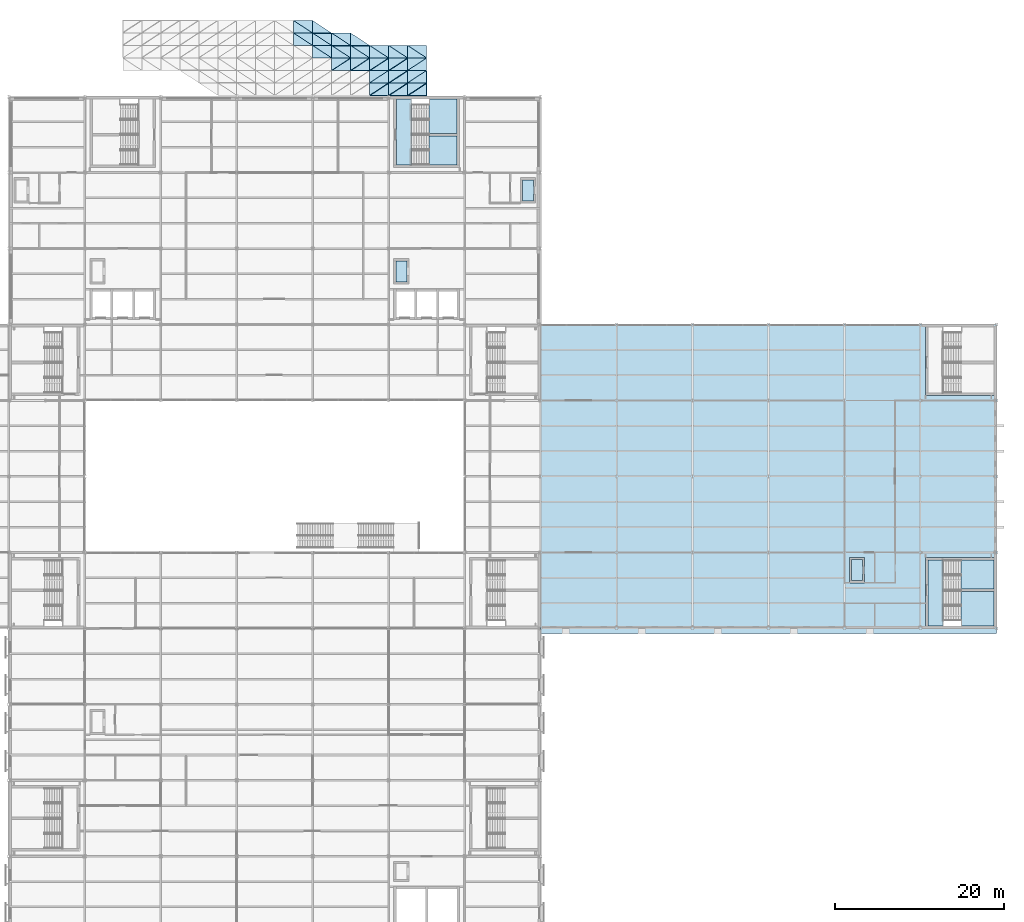
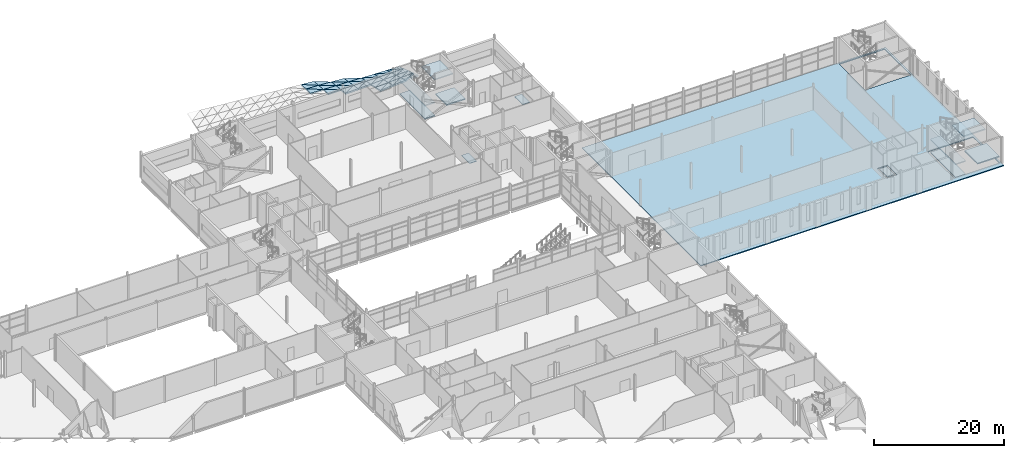
# One storey, part 73 of 112: 56 slabs, 2 elements without a shape of their own.
"""IFC4 building model written with IfcOpenShell, lengths in metres."""

from ifc_helpers import new_model, si_unit, direction, frame, origin, place, context, subcontext, project, spatial, polyline, outline, extrude, material, layer, layer_set, type_object, element, aggregate, save


model = new_model("IFC4")

# Units and contexts
model_context = context("Model", 3, precision=1e-05, world=origin(), true_north=direction((0.0, 1.0)))
body_context = subcontext(model_context, "Body", "Model", "MODEL_VIEW")
ifc_project = project(units=[si_unit("LENGTHUNIT", "METRE"), si_unit("AREAUNIT", "SQUARE_METRE"), si_unit("VOLUMEUNIT", "CUBIC_METRE"), si_unit("PLANEANGLEUNIT", "RADIAN"), si_unit("MASSUNIT", "GRAM", prefix="KILO")], contexts=[model_context])

# Site, building, storey
site_placement = place(None, origin())
site = spatial("IfcSite", under=ifc_project, at=site_placement, CompositionType="ELEMENT")
building_placement = place(site_placement, origin())
building = spatial("IfcBuilding", under=site, at=building_placement, Name="Shorebreak Coast Museum", CompositionType="ELEMENT")
storey_placement = place(building_placement, frame((0.0, 0.0, 6.0)))
storey = spatial("IfcBuildingStorey", under=building, at=storey_placement, Name="L01", CompositionType="ELEMENT", Elevation=6.0)

# Slabs
ifc_material_1 = material(Name="Concrete N50 (50 MPa)", Category="concrete")
ifc_layer_1 = layer(ifc_material_1, 0.25)
ifc_layer_set_1 = layer_set([ifc_layer_1], Name="Concrete N50 (50 MPa)")
slab_type_1 = type_object("IfcSlabType", Name="Canopy facet slab 250", PredefinedType="ROOF", material=ifc_layer_set_1)
slab_1_placement = place(storey_placement, frame((96.75, 117.16357421875, 1.4033203125), z_axis=(-0.077662453114, 0.241803097262, 0.967212389049), x_axis=(0.996791849979, 0.0, 0.080037540037)))
element("IfcSlab", 1, at=slab_1_placement, inside=storey, type_object=slab_type_1, Name="Canopy facet CAN-N 1.14a", PredefinedType="ROOF", context=body_context, shape_type="SweptSolid", body=[
    extrude(outline(polyline([(0.0, 0.0), (2.257241569588644, 6.938893903907228e-18), (2.2277746236959737, 1.5176932847846183), (0.0, 0.0)])), origin(), (0.0, 0.0, -1.0), 0.25),
])
slab_2_placement = place(storey_placement, frame((96.75, 117.16357421875, 1.4033203125), z_axis=(-0.051770001591, 0.203577196324, 0.977689210369), x_axis=(0.834687066075, 0.546314277622, -0.069557255506)))
element("IfcSlab", 2, at=slab_2_placement, inside=storey, type_object=slab_type_1, Name="Canopy facet CAN-N 1.14b", PredefinedType="ROOF", context=body_context, shape_type="SweptSolid", body=[
    extrude(outline(polyline([(0.0, 0.0), (2.69562101948031, -5.551115123125783e-17), (0.8258622157059584, 1.2572575329795002), (0.0, 0.0)])), origin(), (0.0, 0.0, -1.0), 0.25),
])
slab_3_placement = place(storey_placement, frame((99.0, 117.16357421875, 1.583984375), z_axis=(-0.076956311201, 0.27926713862, 0.957124647814), x_axis=(0.996783215266, 0.0, 0.080145004613)))
element("IfcSlab", 3, at=slab_3_placement, inside=storey, type_object=slab_type_1, Name="Canopy facet CAN-N 1.15a", PredefinedType="ROOF", context=body_context, shape_type="SweptSolid", body=[
    extrude(outline(polyline([(0.0, 0.0), (2.257261123121983, 6.938893903907228e-18), (2.2228238164524026, 1.5336759273815501), (0.0, 0.0)])), origin(), (0.0, 0.0, -1.0), 0.25),
])
slab_4_placement = place(storey_placement, frame((99.0, 117.16357421875, 1.583984375), z_axis=(-0.051407596585, 0.242214933602, 0.968859734406), x_axis=(0.833155774117, 0.545312025767, -0.092120847854)))
element("IfcSlab", 4, at=slab_4_placement, inside=storey, type_object=slab_type_1, Name="Canopy facet CAN-N 1.15b", PredefinedType="ROOF", context=body_context, shape_type="SweptSolid", body=[
    extrude(outline(polyline([(0.0, 0.0), (2.7005754144659027, 1.457167719820518e-16), (0.8369727485334755, 1.2663877075338683), (0.0, 0.0)])), origin(), (0.0, 0.0, -1.0), 0.25),
])
slab_5_placement = place(storey_placement, frame((101.25, 117.16357421875, 1.764892578125), z_axis=(-0.075953357636, 0.315361346587, 0.945927221589), x_axis=(0.996791849979, 0.0, 0.080037540037)))
element("IfcSlab", 5, at=slab_5_placement, inside=storey, type_object=slab_type_1, Name="Canopy facet CAN-N 1.16a", PredefinedType="ROOF", context=body_context, shape_type="SweptSolid", body=[
    extrude(outline(polyline([(0.0, 0.0), (2.257241569588644, 0.0), (2.2179457949267345, 1.5518442796851366), (0.0, 0.0)])), origin(), (0.0, 0.0, -1.0), 0.25),
])
slab_6_placement = place(storey_placement, frame((101.25, 117.16357421875, 1.764892578125), z_axis=(-0.050870038751, 0.279735130341, 0.958728583078), x_axis=(0.831197980866, 0.544030622893, -0.114632447231)))
element("IfcSlab", 6, at=slab_6_placement, inside=storey, type_object=slab_type_1, Name="Canopy facet CAN-N 1.16b", PredefinedType="ROOF", context=body_context, shape_type="SweptSolid", body=[
    extrude(outline(polyline([(0.0, 0.0), (2.706936315768191, 9.71445146547012e-17), (0.8504262266648602, 1.2767627075227723), (0.0, 0.0)])), origin(), (0.0, 0.0, -1.0), 0.25),
])
slab_7_placement = place(storey_placement, frame((96.75, 118.63623046875, 1.0966796875), z_axis=(-0.051303244418, 0.242178447651, 0.968874386392), x_axis=(0.998601016426, 0.0, 0.052877310766)))
element("IfcSlab", 7, at=slab_7_placement, inside=storey, type_object=slab_type_1, Name="Canopy facet CAN-N 2.14a", PredefinedType="ROOF", context=body_context, shape_type="SweptSolid", body=[
    extrude(outline(polyline([(0.0, 0.0), (2.253152122810484, -3.469446951953614e-18), (2.2336845972649493, 1.518091352017037), (0.0, 0.0)])), origin(), (0.0, 0.0, -1.0), 0.25),
])
slab_8_placement = place(storey_placement, frame((96.75, 118.63623046875, 1.0966796875), z_axis=(-0.025167524689, 0.203909084961, 0.978666276507), x_axis=(0.833107760054, 0.545370997874, -0.092205936985)))
element("IfcSlab", 8, at=slab_8_placement, inside=storey, type_object=slab_type_1, Name="Canopy facet CAN-N 2.14b", PredefinedType="ROOF", context=body_context, shape_type="SweptSolid", body=[
    extrude(outline(polyline([(0.0, 0.0), (2.700731055312171, -3.95516952522712e-16), (0.8315737531651421, 1.2538336863886006), (0.0, 0.0)])), origin(), (0.0, 0.0, -1.0), 0.25),
])
slab_9_placement = place(storey_placement, frame((99.0, 118.63623046875, 1.2158203125), z_axis=(-0.050872959115, 0.279545896115, 0.958783622094), x_axis=(0.998595289099, 0.0, 0.052985362019)))
element("IfcSlab", 9, at=slab_9_placement, inside=storey, type_object=slab_type_1, Name="Canopy facet CAN-N 2.15a", PredefinedType="ROOF", context=body_context, shape_type="SweptSolid", body=[
    extrude(outline(polyline([(0.0, 0.0), (2.253165045500071, 6.938893903907228e-18), (2.2304108336368125, 1.53405977897116), (0.0, 0.0)])), origin(), (0.0, 0.0, -1.0), 0.25),
])
slab_10_placement = place(storey_placement, frame((99.0, 118.63623046875, 1.2158203125), z_axis=(-0.025045978093, 0.242421716294, 0.969847622284), x_axis=(0.831165785552, 0.544099737873, -0.114537819841)))
element("IfcSlab", 10, at=slab_10_placement, inside=storey, type_object=slab_type_1, Name="Canopy facet CAN-N 2.15b", PredefinedType="ROOF", context=body_context, shape_type="SweptSolid", body=[
    extrude(outline(polyline([(0.0, 0.0), (2.70704116929564, 2.498001805406602e-16), (0.8435734255144314, 1.2622853137803791), (0.0, 0.0)])), origin(), (0.0, 0.0, -1.0), 0.25),
])
slab_11_placement = place(storey_placement, frame((101.25, 118.63623046875, 1.335205078125), z_axis=(-0.050273385481, 0.315827894068, 0.947483682203), x_axis=(0.998595289099, 0.0, 0.052985362019)))
element("IfcSlab", 11, at=slab_11_placement, inside=storey, type_object=slab_type_1, Name="Canopy facet CAN-N 2.16a", PredefinedType="ROOF", context=body_context, shape_type="SweptSolid", body=[
    extrude(outline(polyline([(0.0, 0.0), (2.253165045500071, 6.938893903907228e-18), (2.227150992028205, 1.5523553798531244), (0.0, 0.0)])), origin(), (0.0, 0.0, -1.0), 0.25),
])
slab_12_placement = place(storey_placement, frame((101.25, 118.63623046875, 1.335205078125), z_axis=(-0.024680667007, 0.279823076264, 0.959734291701), x_axis=(0.82879765934, 0.542549509418, -0.136873919001)))
element("IfcSlab", 12, at=slab_12_placement, inside=storey, type_object=slab_type_1, Name="Canopy facet CAN-N 2.16b", PredefinedType="ROOF", context=body_context, shape_type="SweptSolid", body=[
    extrude(outline(polyline([(0.0, 0.0), (2.7147760067178934, 3.191891195797325e-16), (0.85790097994213, 1.2719524630381815), (0.0, 0.0)])), origin(), (0.0, 0.0, -1.0), 0.25),
])
slab_13_placement = place(storey_placement, frame((92.25, 120.109130859375, 0.673828125), z_axis=(-0.025358320075, 0.16429310149, 0.986085560388), x_axis=(0.999669503836, 0.0, 0.025707646746)))
element("IfcSlab", 13, at=slab_13_placement, inside=storey, type_object=slab_type_1, Name="Canopy facet CAN-N 3.12a", PredefinedType="ROOF", context=body_context, shape_type="SweptSolid", body=[
    extrude(outline(polyline([(0.0, 0.0), (2.2507438622136435, 0.0), (2.244436199865133, 1.4929430080880597), (0.0, 0.0)])), origin(), (0.0, 0.0, -1.0), 0.25),
])
slab_14_placement = place(storey_placement, frame((92.25, 120.109130859375, 0.673828125), z_axis=(0.001507364854, 0.124034593676, 0.992276749412), x_axis=(0.834687066075, 0.546314277622, -0.069557255506)))
element("IfcSlab", 14, at=slab_14_placement, inside=storey, type_object=slab_type_1, Name="Canopy facet CAN-N 3.12b", PredefinedType="ROOF", context=body_context, shape_type="SweptSolid", body=[
    extrude(outline(polyline([(0.0, 0.0), (2.69562101948031, 1.457167719820518e-16), (0.8173373762860033, 1.2387744904618843), (0.0, 0.0)])), origin(), (0.0, 0.0, -1.0), 0.25),
])
slab_15_placement = place(storey_placement, frame((94.5, 120.109130859375, 0.731689453125), z_axis=(-0.025273474863, 0.203940937433, 0.978656908987), x_axis=(0.999666710352, 0.0, 0.025816045688)))
element("IfcSlab", 15, at=slab_15_placement, inside=storey, type_object=slab_type_1, Name="Canopy facet CAN-N 3.13a", PredefinedType="ROOF", context=body_context, shape_type="SweptSolid", body=[
    extrude(outline(polyline([(0.0, 0.0), (2.2507501517268986, -1.734723475976807e-18), (2.242827600596471, 1.5042712266145224), (0.0, 0.0)])), origin(), (0.0, 0.0, -1.0), 0.25),
])
slab_16_placement = place(storey_placement, frame((94.5, 120.109130859375, 0.731689453125), z_axis=(0.001498440013, 0.164345766354, 0.986401654378), x_axis=(0.833155774117, 0.545312025767, -0.092120847854)))
element("IfcSlab", 16, at=slab_16_placement, inside=storey, type_object=slab_type_1, Name="Canopy facet CAN-N 3.13b", PredefinedType="ROOF", context=body_context, shape_type="SweptSolid", body=[
    extrude(outline(polyline([(0.0, 0.0), (2.7005754144659027, 1.249000902703301e-16), (0.8256600565240275, 1.2438665857173212), (0.0, 0.0)])), origin(), (0.0, 0.0, -1.0), 0.25),
])
slab_17_placement = place(storey_placement, frame((96.75, 120.109130859375, 0.789794921875), z_axis=(-0.02494056548, 0.242460180866, 0.969840723463), x_axis=(0.999669503836, 0.0, 0.025707646746)))
element("IfcSlab", 17, at=slab_17_placement, inside=storey, type_object=slab_type_1, Name="Canopy facet CAN-N 3.14a", PredefinedType="ROOF", context=body_context, shape_type="SweptSolid", body=[
    extrude(outline(polyline([(0.0, 0.0), (2.2507438622136435, 1.734723475976807e-18), (2.241279230550406, 1.5179498108725618), (0.0, 0.0)])), origin(), (0.0, 0.0, -1.0), 0.25),
])
slab_18_placement = place(storey_placement, frame((96.75, 120.109130859375, 0.789794921875), z_axis=(0.001487148381, 0.204005876549, 0.978968534082), x_axis=(0.831197980866, 0.544030622893, -0.114632447231)))
element("IfcSlab", 18, at=slab_18_placement, inside=storey, type_object=slab_type_1, Name="Canopy facet CAN-N 3.14b", PredefinedType="ROOF", context=body_context, shape_type="SweptSolid", body=[
    extrude(outline(polyline([(0.0, 0.0), (2.706936315768191, -5.551115123125783e-17), (0.8363490486967944, 1.250365929950405), (0.0, 0.0)])), origin(), (0.0, 0.0, -1.0), 0.25),
])
slab_19_placement = place(storey_placement, frame((99.0, 120.109130859375, 0.84765625), z_axis=(-0.024783315422, 0.280011745113, 0.959676617343), x_axis=(0.999666710352, 0.0, 0.025816045688)))
element("IfcSlab", 19, at=slab_19_placement, inside=storey, type_object=slab_type_1, Name="Canopy facet CAN-N 3.15a", PredefinedType="ROOF", context=body_context, shape_type="SweptSolid", body=[
    extrude(outline(polyline([(0.0, 0.0), (2.2507501517268986, 0.0), (2.239657319595194, 1.5340224012039754), (0.0, 0.0)])), origin(), (0.0, 0.0, -1.0), 0.25),
])
slab_20_placement = place(storey_placement, frame((99.0, 120.109130859375, 0.84765625), z_axis=(0.001473739177, 0.242535361654, 0.970141446615), x_axis=(0.828838097346, 0.542486046353, -0.13688059724)))
element("IfcSlab", 20, at=slab_20_placement, inside=storey, type_object=slab_type_1, Name="Canopy facet CAN-N 3.15b", PredefinedType="ROOF", context=body_context, shape_type="SweptSolid", body=[
    extrude(outline(polyline([(0.0, 0.0), (2.714643556088338, 1.1102230246251565e-16), (0.8492899834566862, 1.2581604554192236), (0.0, 0.0)])), origin(), (0.0, 0.0, -1.0), 0.25),
])
slab_21_placement = place(storey_placement, frame((101.25, 120.109130859375, 0.90576171875), z_axis=(-0.024388816921, 0.316180870932, 0.948385387101), x_axis=(0.999669503836, 0.0, 0.025707646746)))
element("IfcSlab", 21, at=slab_21_placement, inside=storey, type_object=slab_type_1, Name="Canopy facet CAN-N 3.16a", PredefinedType="ROOF", context=body_context, shape_type="SweptSolid", body=[
    extrude(outline(polyline([(0.0, 0.0), (2.2507438622136435, 0.0), (2.2381222612356786, 1.5522904114522236), (0.0, 0.0)])), origin(), (0.0, 0.0, -1.0), 0.25),
])
slab_22_placement = place(storey_placement, frame((101.25, 120.109130859375, 0.90576171875), z_axis=(0.001458288452, 0.280097480307, 0.959970455233), x_axis=(0.826067965523, 0.540672956601, -0.159010912634)))
element("IfcSlab", 22, at=slab_22_placement, inside=storey, type_object=slab_type_1, Name="Canopy facet CAN-N 3.16b", PredefinedType="ROOF", context=body_context, shape_type="SweptSolid", body=[
    extrude(outline(polyline([(0.0, 0.0), (2.723746827024351, -9.71445146547012e-17), (0.8645504102670866, 1.2672412423951978), (0.0, 0.0)])), origin(), (0.0, 0.0, -1.0), 0.25),
])
slab_23_placement = place(storey_placement, frame((90.0, 121.581787109375, 0.4931640625), z_axis=(0.001513861996, 0.08293600301, 0.996553725409), x_axis=(0.999998846174, 0.0, -0.001519095469)))
element("IfcSlab", 23, at=slab_23_placement, inside=storey, type_object=slab_type_1, Name="Canopy facet CAN-N 4.11a", PredefinedType="ROOF", context=body_context, shape_type="SweptSolid", body=[
    extrude(outline(polyline([(0.0, 0.0), (2.2500025961119197, 0.0), (0.00018617820450755093, 1.477747273691857), (0.0, 0.0)])), origin(), (0.0, 0.0, -1.0), 0.25),
])
slab_24_placement = place(storey_placement, frame((92.25, 121.581787109375, 0.48974609375), z_axis=(0.028628226048, 0.123983896267, 0.991871170132), x_axis=(0.0, 0.992277876714, -0.124034734589)))
element("IfcSlab", 24, at=slab_24_placement, inside=storey, type_object=slab_type_1, Name="Canopy facet CAN-N 4.11b", PredefinedType="ROOF", context=body_context, shape_type="SweptSolid", body=[
    extrude(outline(polyline([(0.0, 0.0), (1.4841167827678483, 0.0), (1.4760617926797797, 2.2509225893798326), (0.0, 0.0)])), origin(), (0.0, 0.0, -1.0), 0.25),
])
slab_25_placement = place(storey_placement, frame((92.25, 121.581787109375, 0.48974609375), z_axis=(0.001507364854, 0.124034593676, 0.992276749412), x_axis=(0.999998846174, 0.0, -0.001519095469)))
element("IfcSlab", 25, at=slab_25_placement, inside=storey, type_object=slab_type_1, Name="Canopy facet CAN-N 4.12a", PredefinedType="ROOF", context=body_context, shape_type="SweptSolid", body=[
    extrude(outline(polyline([(0.0, 0.0), (2.2500025961119197, -5.421010862427522e-20), (0.0002796381796786721, 1.4841167564230506), (0.0, 0.0)])), origin(), (0.0, 0.0, -1.0), 0.25),
])
slab_26_placement = place(storey_placement, frame((94.5, 121.581787109375, 0.486328125), z_axis=(0.028351958661, 0.164279884185, 0.98600623025), x_axis=(0.0, 0.986402761774, -0.164345950859)))
element("IfcSlab", 26, at=slab_26_placement, inside=storey, type_object=slab_type_1, Name="Canopy facet CAN-N 4.12b", PredefinedType="ROOF", context=body_context, shape_type="SweptSolid", body=[
    extrude(outline(polyline([(0.0, 0.0), (1.4929563329191267, -8.673617379884035e-19), (1.4823235992819896, 2.250904858308044), (0.0, 0.0)])), origin(), (0.0, 0.0, -1.0), 0.25),
])
slab_27_placement = place(storey_placement, frame((94.5, 121.581787109375, 0.486328125), z_axis=(0.001498440013, 0.164345766354, 0.986401654378), x_axis=(0.999998846174, 0.0, -0.001519095469)))
element("IfcSlab", 27, at=slab_27_placement, inside=storey, type_object=slab_type_1, Name="Canopy facet CAN-N 4.13a", PredefinedType="ROOF", context=body_context, shape_type="SweptSolid", body=[
    extrude(outline(polyline([(0.0, 0.0), (2.2500025961119197, -1.0842021724855044e-19), (0.00037272728193244755, 1.4929562863921033), (0.0, 0.0)])), origin(), (0.0, 0.0, -1.0), 0.25),
])
slab_28_placement = place(storey_placement, frame((96.75, 121.581787109375, 0.48291015625), z_axis=(0.028244577592, 0.203924712342, 0.9785790492), x_axis=(0.0, 0.978969616633, -0.20400610214)))
element("IfcSlab", 28, at=slab_28_placement, inside=storey, type_object=slab_type_1, Name="Canopy facet CAN-N 4.13b", PredefinedType="ROOF", context=body_context, shape_type="SweptSolid", body=[
    extrude(outline(polyline([(0.0, 0.0), (1.504292089335304, 0.0), (1.4910436461787655, 2.250898013016062), (0.0, 0.0)])), origin(), (0.0, 0.0, -1.0), 0.25),
])
slab_29_placement = place(storey_placement, frame((96.75, 121.581787109375, 0.48291015625), z_axis=(0.001487148381, 0.204005876549, 0.978968534082), x_axis=(0.999998846174, 0.0, -0.001519095469)))
element("IfcSlab", 29, at=slab_29_placement, inside=storey, type_object=slab_type_1, Name="Canopy facet CAN-N 4.14a", PredefinedType="ROOF", context=body_context, shape_type="SweptSolid", body=[
    extrude(outline(polyline([(0.0, 0.0), (2.2500025961119197, -1.0842021724855044e-19), (0.0004661872571035687, 1.5042920170984808), (0.0, 0.0)])), origin(), (0.0, 0.0, -1.0), 0.25),
])
slab_30_placement = place(storey_placement, frame((99.0, 121.581787109375, 0.4794921875), z_axis=(0.027884959973, 0.242441312366, 0.969765249463), x_axis=(0.0, 0.970142500145, -0.242535625036)))
element("IfcSlab", 30, at=slab_30_placement, inside=storey, type_object=slab_type_1, Name="Canopy facet CAN-N 4.14b", PredefinedType="ROOF", context=body_context, shape_type="SweptSolid", body=[
    extrude(outline(polyline([(0.0, 0.0), (1.517979317244002, 0.0), (1.5022879254875008, 2.2508752778428427), (0.0, 0.0)])), origin(), (0.0, 0.0, -1.0), 0.25),
])
slab_31_placement = place(storey_placement, frame((99.0, 121.581787109375, 0.4794921875), z_axis=(0.001473739177, 0.242535361654, 0.970141446615), x_axis=(0.999998846174, 0.0, -0.001519095469)))
element("IfcSlab", 31, at=slab_31_placement, inside=storey, type_object=slab_type_1, Name="Canopy facet CAN-N 4.15a", PredefinedType="ROOF", context=body_context, shape_type="SweptSolid", body=[
    extrude(outline(polyline([(0.0, 0.0), (2.2500025961119197, -1.0842021724855044e-19), (0.0005592763593573443, 1.5179792142155704), (0.0, 0.0)])), origin(), (0.0, 0.0, -1.0), 0.25),
])
slab_32_placement = place(storey_placement, frame((101.25, 121.581787109375, 0.47607421875), z_axis=(0.027594065161, 0.279844505441, 0.959648696317), x_axis=(0.0, 0.960014258914, -0.279951107664)))
element("IfcSlab", 32, at=slab_32_placement, inside=storey, type_object=slab_type_1, Name="Canopy facet CAN-N 4.15b", PredefinedType="ROOF", context=body_context, shape_type="SweptSolid", body=[
    extrude(outline(polyline([(0.0, 0.0), (1.5339941426144195, 0.0), (1.5158820714398684, 2.2508571009855602), (0.0, 0.0)])), origin(), (0.0, 0.0, -1.0), 0.25),
])
slab_33_placement = place(storey_placement, frame((101.25, 121.581787109375, 0.47607421875), z_axis=(0.001458353443, 0.279950809965, 0.960013238037), x_axis=(0.999998846174, 0.0, -0.001519095469)))
element("IfcSlab", 33, at=slab_33_placement, inside=storey, type_object=slab_type_1, Name="Canopy facet CAN-N 4.16a", PredefinedType="ROOF", context=body_context, shape_type="SweptSolid", body=[
    extrude(outline(polyline([(0.0, 0.0), (2.2500025961119197, -1.0842021724855044e-19), (0.0006523654616111197, 1.533994003897881), (0.0, 0.0)])), origin(), (0.0, 0.0, -1.0), 0.25),
])
slab_34_placement = place(storey_placement, frame((103.5, 121.581787109375, 0.47265625), z_axis=(0.027370988587, 0.316156453159, 0.948312145925), x_axis=(0.0, 0.94866756963, -0.316274947368)))
element("IfcSlab", 34, at=slab_34_placement, inside=storey, type_object=slab_type_1, Name="Canopy facet CAN-N 4.16b", PredefinedType="ROOF", context=body_context, shape_type="SweptSolid", body=[
    extrude(outline(polyline([(0.0, 0.0), (1.552341723428756, 0.0), (1.5318023835850156, 2.2508432912498617), (0.0, 0.0)])), origin(), (0.0, 0.0, -1.0), 0.25),
])
slab_35_placement = place(storey_placement, frame((87.75, 123.054443359375, 0.435302734375), z_axis=(0.028717439576, 0.041716659398, 0.998716691056), x_axis=(0.999586850138, 0.0, -0.028742460426)))
element("IfcSlab", 35, at=slab_35_placement, inside=storey, type_object=slab_type_1, Name="Canopy facet CAN-N 5.10a", PredefinedType="ROOF", context=body_context, shape_type="SweptSolid", body=[
    extrude(outline(polyline([(0.0, 0.0), (2.25092997140723, 0.0), (0.0017683349676187983, 1.474183695153537), (0.0, 0.0)])), origin(), (0.0, 0.0, -1.0), 0.25),
])
slab_36_placement = place(storey_placement, frame((90.0, 123.054443359375, 0.37060546875), z_axis=(0.055709340817, 0.082957459534, 0.994994738304), x_axis=(0.0, 0.996542339845, -0.083086490459)))
element("IfcSlab", 36, at=slab_36_placement, inside=storey, type_object=slab_type_1, Name="Canopy facet CAN-N 5.10b", PredefinedType="ROOF", context=body_context, shape_type="SweptSolid", body=[
    extrude(outline(polyline([(0.0, 0.0), (1.4780108498496398, 8.673617379884035e-19), (1.467543899391369, 2.253499619979427), (0.0, 0.0)])), origin(), (0.0, 0.0, -1.0), 0.25),
])
slab_37_placement = place(storey_placement, frame((90.0, 123.054443359375, 0.37060546875), z_axis=(0.02875115866, 0.083052142503, 0.996130369229), x_axis=(0.999583728093, 0.0, -0.02885083243)))
element("IfcSlab", 37, at=slab_37_placement, inside=storey, type_object=slab_type_1, Name="Canopy facet CAN-N 5.11a", PredefinedType="ROOF", context=body_context, shape_type="SweptSolid", body=[
    extrude(outline(polyline([(0.0, 0.0), (2.250937001838507, 8.673617379884035e-19), (0.003542961111370045, 1.4780066034019665), (0.0, 0.0)])), origin(), (0.0, 0.0, -1.0), 0.25),
])
slab_38_placement = place(storey_placement, frame((92.25, 123.054443359375, 0.3056640625), z_axis=(0.055578994017, 0.123822801377, 0.990746632234), x_axis=(0.0, 0.992280406899, -0.124014491431)))
element("IfcSlab", 38, at=slab_38_placement, inside=storey, type_object=slab_type_1, Name="Canopy facet CAN-N 5.11b", PredefinedType="ROOF", context=body_context, shape_type="SweptSolid", body=[
    extrude(outline(polyline([(0.0, 0.0), (1.4843590384177283, 0.0), (1.4687058421116508, 2.2534832245532184), (0.0, 0.0)])), origin(), (0.0, 0.0, -1.0), 0.25),
])
slab_39_placement = place(storey_placement, frame((92.25, 123.054443359375, 0.3056640625), z_axis=(0.028520761513, 0.123964042378, 0.991876747565), x_axis=(0.999586850138, 0.0, -0.028742460426)))
element("IfcSlab", 39, at=slab_39_placement, inside=storey, type_object=slab_type_1, Name="Canopy facet CAN-N 5.12a", PredefinedType="ROOF", context=body_context, shape_type="SweptSolid", body=[
    extrude(outline(polyline([(0.0, 0.0), (2.25092997140723, 0.0), (0.005290970498351484, 1.4843496086042498), (0.0, 0.0)])), origin(), (0.0, 0.0, -1.0), 0.25),
])
slab_40_placement = place(storey_placement, frame((94.5, 123.054443359375, 0.240966796875), z_axis=(0.055144490309, 0.164069414346, 0.98490624552), x_axis=(0.0, 0.986407177539, -0.164319445289)))
element("IfcSlab", 40, at=slab_40_placement, inside=storey, type_object=slab_type_1, Name="Canopy facet CAN-N 5.12b", PredefinedType="ROOF", context=body_context, shape_type="SweptSolid", body=[
    extrude(outline(polyline([(0.0, 0.0), (1.4931971544449654, 0.0), (1.4724967555755935, 2.25342885128108), (0.0, 0.0)])), origin(), (0.0, 0.0, -1.0), 0.25),
])
slab_41_placement = place(storey_placement, frame((94.5, 123.054443359375, 0.240966796875), z_axis=(0.028458987993, 0.1642528895, 0.986007644135), x_axis=(0.999583728093, 0.0, -0.02885083243)))
element("IfcSlab", 41, at=slab_41_placement, inside=storey, type_object=slab_type_1, Name="Canopy facet CAN-N 5.13a", PredefinedType="ROOF", context=body_context, shape_type="SweptSolid", body=[
    extrude(outline(polyline([(0.0, 0.0), (2.250937001838507, 1.734723475976807e-18), (0.007078878562478917, 1.4931803747440693), (0.0, 0.0)])), origin(), (0.0, 0.0, -1.0), 0.25),
])
slab_42_placement = place(storey_placement, frame((87.75, 124.52734375, 0.373779296875), z_axis=(0.055853846295, 0.041510526196, 0.997575673355), x_axis=(0.998436258871, 0.0, -0.055902030119)))
element("IfcSlab", 42, at=slab_42_placement, inside=storey, type_object=slab_type_1, Name="Canopy facet CAN-N 6.10a", PredefinedType="ROOF", context=body_context, shape_type="SweptSolid", body=[
    extrude(outline(polyline([(0.0, 0.0), (2.2535239280512016, -8.673617379884035e-19), (0.0034256370995826837, 1.473926676568417), (0.0, 0.0)])), origin(), (0.0, 0.0, -1.0), 0.25),
])
slab_43_placement = place(storey_placement, frame((90.0, 124.52734375, 0.247802734375), z_axis=(0.082760212841, 0.082815093618, 0.993122554089), x_axis=(0.0, 0.996541199252, -0.083100169633)))
element("IfcSlab", 43, at=slab_43_placement, inside=storey, type_object=slab_type_1, Name="Canopy facet CAN-N 6.10b", PredefinedType="ROOF", context=body_context, shape_type="SweptSolid", body=[
    extrude(outline(polyline([(0.0, 0.0), (1.477767553519172, 0.0), (1.4621862717130591, 2.2577452189424028), (0.0, 0.0)])), origin(), (0.0, 0.0, -1.0), 0.25),
])
slab_44_placement = place(storey_placement, frame((90.0, 124.52734375, 0.247802734375), z_axis=(0.055816904928, 0.082970618243, 0.994987612804), x_axis=(0.998430206264, 0.0, -0.056010027847)))
element("IfcSlab", 44, at=slab_44_placement, inside=storey, type_object=slab_type_1, Name="Canopy facet CAN-N 6.11a", PredefinedType="ROOF", context=body_context, shape_type="SweptSolid", body=[
    extrude(outline(polyline([(0.0, 0.0), (2.25353758919113, 0.0), (0.006878184572039318, 1.477751546374096), (0.0, 0.0)])), origin(), (0.0, 0.0, -1.0), 0.25),
])
ifc_material_2 = material(Name="Concrete N40 (40 MPa)", Category="concrete")
ifc_layer_2 = layer(ifc_material_2, 0.175048828125)
ifc_layer_set_2 = layer_set([ifc_layer_2], Name="Concrete N40 (40 MPa)")
slab_type_2 = type_object("IfcSlabType", Name="Floor slab 175 concrete N40", PredefinedType="FLOOR", material=ifc_layer_set_2)
slab_45_placement = place(storey_placement, frame((0.0, 0.0, -0.175048828125)))
element("IfcSlab", 45, at=slab_45_placement, inside=storey, type_object=slab_type_2, Name="Floor slab L01 east arm", PredefinedType="FLOOR", context=body_context, shape_type="SweptSolid", body=[
    extrude(outline(polyline([(171.0, 53.39990234375), (171.0, 54.0), (171.0, 90.0), (117.0, 90.0), (117.0, 54.0), (117.0, 53.39990234375), (171.0, 53.39990234375)]), holes=[polyline([(153.60009765625, 59.39990234375), (153.60009765625, 62.39990234375), (155.39990234375, 62.39990234375), (155.39990234375, 59.39990234375), (153.60009765625, 59.39990234375)]), polyline([(162.60009765625, 62.39990234375), (170.699951171875, 62.39990234375), (170.699951171875, 54.300048828125), (162.60009765625, 54.300048828125), (162.60009765625, 62.39990234375)]), polyline([(170.699951171875, 89.699951171875), (170.699951171875, 81.60009765625), (162.60009765625, 81.60009765625), (162.60009765625, 89.699951171875), (170.699951171875, 89.699951171875)])]), origin(), (0.0, 0.0, 1.0), 0.175048828125),
])
ifc_material_3 = material(Name="Concrete N40 (40 MPa)", Category="concrete")
ifc_layer_3 = layer(ifc_material_3, 0.10009765625)
ifc_layer_set_3 = layer_set([ifc_layer_3], Name="Concrete N40 (40 MPa)")
slab_type_3 = type_object("IfcSlabType", Name="Riser platform 100", PredefinedType="USERDEFINED", material=ifc_layer_set_3)
slab_46_placement = place(storey_placement, frame((0.0, 0.0, -0.10009765625)))
element("IfcSlab", 46, at=slab_46_placement, inside=storey, type_object=slab_type_3, Name="Riser platform R-WC-N2 L01", ObjectType="RISER PLATFORM", PredefinedType="USERDEFINED", context=body_context, shape_type="SweptSolid", body=[
    extrude(outline(polyline([(114.85009765625, 104.64990234375), (116.14990234375, 104.64990234375), (116.14990234375, 107.14990234375), (114.85009765625, 107.14990234375), (114.85009765625, 104.64990234375)])), origin(), (0.0, 0.0, 1.0), 0.10009765625),
])
slab_47_placement = place(storey_placement, frame((0.0, 0.0, -0.10009765625)))
element("IfcSlab", 47, at=slab_47_placement, inside=storey, type_object=slab_type_3, Name="Riser platform R-WC-E L01", ObjectType="RISER PLATFORM", PredefinedType="USERDEFINED", context=body_context, shape_type="SweptSolid", body=[
    extrude(outline(polyline([(153.85009765625, 59.64990234375), (155.14990234375, 59.64990234375), (155.14990234375, 62.14990234375), (153.85009765625, 62.14990234375), (153.85009765625, 59.64990234375)])), origin(), (0.0, 0.0, 1.0), 0.10009765625),
])
slab_48_placement = place(storey_placement, frame((0.0, 0.0, -0.10009765625)))
element("IfcSlab", 48, at=slab_48_placement, inside=storey, type_object=slab_type_3, Name="Riser platform R-LBE L01", ObjectType="RISER PLATFORM", PredefinedType="USERDEFINED", context=body_context, shape_type="SweptSolid", body=[
    extrude(outline(polyline([(99.85009765625, 95.050048828125), (101.14990234375, 95.050048828125), (101.14990234375, 97.550048828125), (99.85009765625, 97.550048828125), (99.85009765625, 95.050048828125)])), origin(), (0.0, 0.0, 1.0), 0.10009765625),
])

# Stair, slabs
ifc_material_4 = material(Name="Concrete N40 (40 MPa)", Category="concrete")
stair_type = type_object("IfcStairType", Name="Stair run 5 m", PredefinedType="DOUBLE_RETURN_STAIR", material=ifc_material_4)
stair_1_placement = place(storey_placement, origin())
stair_1 = element("IfcStair", 49, at=stair_1_placement, inside=storey, type_object=stair_type, Name="Exit stair ST07-L01", PredefinedType="DOUBLE_RETURN_STAIR")
ifc_material_5 = material(Name="Concrete N40 (40 MPa)", Category="concrete")
ifc_layer_4 = layer(ifc_material_5, 0.199951171875)
ifc_layer_set_4 = layer_set([ifc_layer_4], Name="Concrete N40 (40 MPa)")
slab_type_4 = type_object("IfcSlabType", Name="Stair landing 200", PredefinedType="LANDING", material=ifc_layer_set_4)
slab_49_placement = place(storey_placement, frame((0.0, 0.0, -0.199951171875)))
slab_49 = element("IfcSlab", 50, at=slab_49_placement, type_object=slab_type_4, Name="ST07-L01 landing 1", PredefinedType="LANDING", context=body_context, shape_type="SweptSolid", body=[
    extrude(outline(polyline([(162.89990234375, 54.300048828125), (164.699951171875, 54.300048828125), (164.699951171875, 62.10009765625), (162.89990234375, 62.10009765625), (162.89990234375, 54.300048828125)])), origin(), (0.0, 0.0, 1.0), 0.199951171875),
])
slab_50_placement = place(storey_placement, frame((0.0, 0.0, 2.300048828125)))
slab_50 = element("IfcSlab", 51, at=slab_50_placement, type_object=slab_type_4, Name="ST07-L01 landing 2", PredefinedType="LANDING", context=body_context, shape_type="SweptSolid", body=[
    extrude(outline(polyline([(162.89990234375, 54.300048828125), (164.699951171875, 54.300048828125), (164.699951171875, 62.10009765625), (162.89990234375, 62.10009765625), (162.89990234375, 54.300048828125)])), origin(), (0.0, 0.0, 1.0), 0.199951171875),
])
slab_51_placement = place(storey_placement, frame((0.0, 0.0, 1.050048828125)))
slab_51 = element("IfcSlab", 52, at=slab_51_placement, type_object=slab_type_4, Name="ST07-L01 landing 3", PredefinedType="LANDING", context=body_context, shape_type="SweptSolid", body=[
    extrude(outline(polyline([(166.800048828125, 54.300048828125), (170.699951171875, 54.300048828125), (170.699951171875, 58.35009765625), (166.800048828125, 58.35009765625), (166.800048828125, 54.300048828125)])), origin(), (0.0, 0.0, 1.0), 0.199951171875),
])
slab_52_placement = place(storey_placement, frame((0.0, 0.0, 3.550048828125)))
slab_52 = element("IfcSlab", 53, at=slab_52_placement, type_object=slab_type_4, Name="ST07-L01 landing 4", PredefinedType="LANDING", context=body_context, shape_type="SweptSolid", body=[
    extrude(outline(polyline([(166.800048828125, 58.64990234375), (170.699951171875, 58.64990234375), (170.699951171875, 62.10009765625), (166.800048828125, 62.10009765625), (166.800048828125, 58.64990234375)])), origin(), (0.0, 0.0, 1.0), 0.199951171875),
])
aggregate(stair_1, [slab_49, slab_50, slab_51, slab_52])

stair_2_placement = place(storey_placement, origin())
stair_2 = element("IfcStair", 54, at=stair_2_placement, inside=storey, type_object=stair_type, Name="Exit stair ST10-L01", PredefinedType="DOUBLE_RETURN_STAIR")
slab_53_placement = place(storey_placement, frame((0.0, 0.0, -0.199951171875)))
slab_53 = element("IfcSlab", 55, at=slab_53_placement, type_object=slab_type_4, Name="ST10-L01 landing 1", PredefinedType="LANDING", context=body_context, shape_type="SweptSolid", body=[
    extrude(outline(polyline([(99.89990234375, 108.89990234375), (101.699951171875, 108.89990234375), (101.699951171875, 116.699951171875), (99.89990234375, 116.699951171875), (99.89990234375, 108.89990234375)])), origin(), (0.0, 0.0, 1.0), 0.199951171875),
])
slab_54_placement = place(storey_placement, frame((0.0, 0.0, 2.300048828125)))
slab_54 = element("IfcSlab", 56, at=slab_54_placement, type_object=slab_type_4, Name="ST10-L01 landing 2", PredefinedType="LANDING", context=body_context, shape_type="SweptSolid", body=[
    extrude(outline(polyline([(99.89990234375, 108.89990234375), (101.699951171875, 108.89990234375), (101.699951171875, 116.699951171875), (99.89990234375, 116.699951171875), (99.89990234375, 108.89990234375)])), origin(), (0.0, 0.0, 1.0), 0.199951171875),
])
slab_55_placement = place(storey_placement, frame((0.0, 0.0, 1.050048828125)))
slab_55 = element("IfcSlab", 57, at=slab_55_placement, type_object=slab_type_4, Name="ST10-L01 landing 3", PredefinedType="LANDING", context=body_context, shape_type="SweptSolid", body=[
    extrude(outline(polyline([(103.800048828125, 108.89990234375), (107.10009765625, 108.89990234375), (107.10009765625, 112.35009765625), (103.800048828125, 112.35009765625), (103.800048828125, 108.89990234375)])), origin(), (0.0, 0.0, 1.0), 0.199951171875),
])
slab_56_placement = place(storey_placement, frame((0.0, 0.0, 3.550048828125)))
slab_56 = element("IfcSlab", 58, at=slab_56_placement, type_object=slab_type_4, Name="ST10-L01 landing 4", PredefinedType="LANDING", context=body_context, shape_type="SweptSolid", body=[
    extrude(outline(polyline([(103.800048828125, 112.64990234375), (107.10009765625, 112.64990234375), (107.10009765625, 116.699951171875), (103.800048828125, 116.699951171875), (103.800048828125, 112.64990234375)])), origin(), (0.0, 0.0, 1.0), 0.199951171875),
])
aggregate(stair_2, [slab_53, slab_54, slab_55, slab_56])

save(model, "model.ifc")
